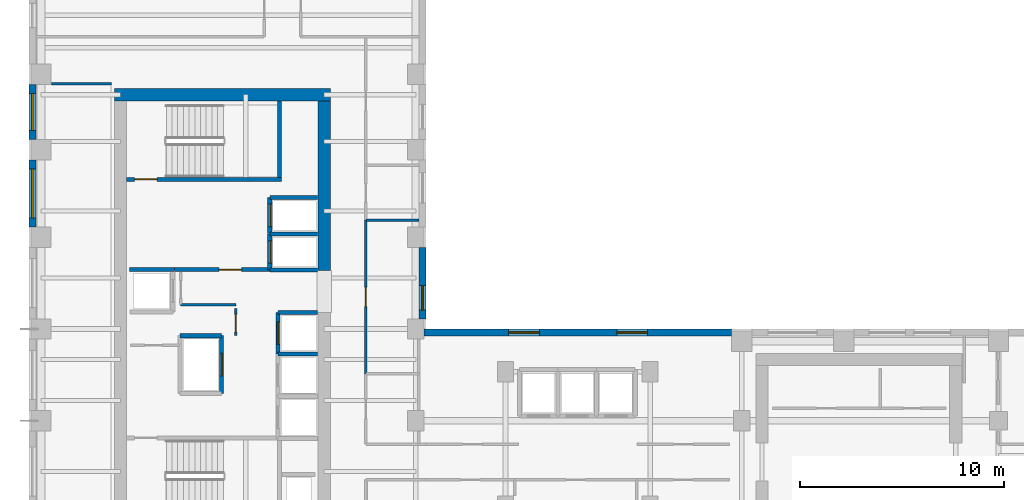
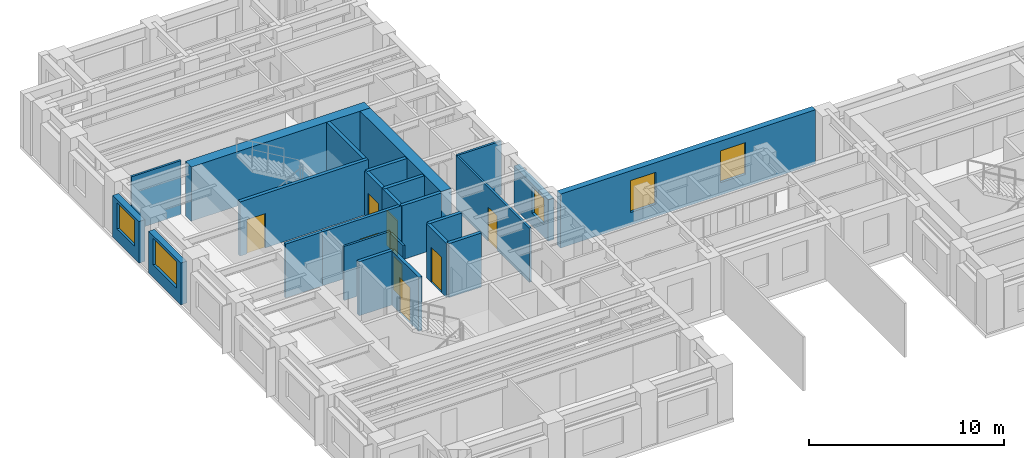
# One storey, part 5 of 11: 25 walls, 8 doors, 5 windows, 13 openings.
"""IFC4 building model written with IfcOpenShell, lengths in metres."""

from ifc_helpers import new_model, si_unit, direction, frame, frame_2d, origin, place, context, subcontext, project, spatial, rectangle, extrude, source, transform, mapped, material, layer, layer_set, type_object, element, fill, save


model = new_model("IFC4")

# Units and contexts
model_context = context("Model", 3, precision=1e-05, world=origin(), true_north=direction((0.0, 1.0)))
body_context = subcontext(model_context, "Body", "Model", "MODEL_VIEW")
ifc_project = project(units=[si_unit("LENGTHUNIT", "METRE"), si_unit("AREAUNIT", "SQUARE_METRE"), si_unit("VOLUMEUNIT", "CUBIC_METRE"), si_unit("PLANEANGLEUNIT", "RADIAN"), si_unit("MASSUNIT", "GRAM", prefix="KILO")], contexts=[model_context])

# Site, building, storey
site_placement = place(None, origin())
site = spatial("IfcSite", under=ifc_project, at=site_placement, CompositionType="ELEMENT")
building_placement = place(site_placement, origin())
building = spatial("IfcBuilding", under=site, at=building_placement, Name="Kharzan Plaza Tower", CompositionType="ELEMENT")
storey_placement = place(building_placement, frame((0.0, 0.0, 186.300048828125)))
storey = spatial("IfcBuildingStorey", under=building, at=storey_placement, Name="L50", CompositionType="ELEMENT", Elevation=186.300048828125)

# Wall, opening, window
ifc_material_1 = material(Name="Concrete C40/50", Category="concrete")
ifc_layer_1 = layer(ifc_material_1, 0.35009765625)
ifc_layer_set_1 = layer_set([ifc_layer_1], Name="Concrete C40/50")
wall_type_1 = type_object("IfcWallType", Name="WL-EXT-MAS-Z3", PredefinedType="SOLIDWALL", material=ifc_layer_set_1)
wall_1_placement = place(storey_placement, frame((0.175048828125, 30.001953125, 0.0), z_axis=(0.0, 0.0, 1.0), x_axis=(0.0, -1.0, 0.0)))
wall_1 = element("IfcWall", 1, at=wall_1_placement, inside=storey, type_object=wall_type_1, Name="L50 Masonry-Frame Exterior Wall 12", PredefinedType="SOLIDWALL", context=body_context, shape_type="SweptSolid", body=[
    extrude(rectangle(XDim=2.703857421875, YDim=0.35009765625, at=frame_2d((1.35205078125, 0.0))), origin(), (0.0, 0.0, 1.0), 2.612060546875),
])
opening_1_placement = place(wall_1_placement, frame((0.451904296875, 0.0, 0.780029296875)))
opening_1 = element("IfcOpeningElement", 2, at=opening_1_placement, cuts=wall_1, Name="Opening W1", PredefinedType="OPENING", context=body_context, shape_type="SweptSolid", body=[
    extrude(rectangle(XDim=1.800048828125, YDim=1.652099609375, at=frame_2d((0.89990234375, 0.826171875))), frame((0.0, 0.18505859375, 0.0), z_axis=(0.0, -1.0, 0.0), x_axis=(1.0, 0.0, 0.0)), (0.0, 0.0, 1.0), 0.3701171875),
])
ifc_material_2 = material(Name="Low-E Double Glazing", Category="glass")
window_type_1 = type_object("IfcWindowType", Name="WN-REC-1800x2100", PartitioningType="SINGLE_PANEL", PredefinedType="WINDOW", material=ifc_material_2)
shared_shape_1 = source(origin(), body_context, "Body", "SweptSolid", [
    extrude(rectangle(XDim=1.800048828125, YDim=1.652099609375, at=frame_2d((0.89990234375, 0.826171875))), frame((0.0, 0.030029296875, 0.0), z_axis=(0.0, -1.0, 0.0), x_axis=(1.0, 0.0, 0.0)), (0.0, 0.0, 1.0), 0.06005859375),
])
window_1_placement = place(opening_1_placement, origin())
window_1 = element("IfcWindow", 3, at=window_1_placement, inside=storey, type_object=window_type_1, Name="L50 Recessed Solar-Control Window 12-1", OverallHeight=1.652099609375, OverallWidth=1.800048828125, PartitioningType="SINGLE_PANEL", PredefinedType="WINDOW", context=body_context, shape_type="MappedRepresentation", body=[
    mapped(shared_shape_1, transform((0.0, 0.0, 0.0), x_axis=(1.0, 0.0, 0.0), y_axis=(0.0, 1.0, 0.0), z_axis=(0.0, 0.0, 1.0))),
])
fill(opening_1, window_1)

wall_2_placement = place(storey_placement, frame((0.175048828125, 26.302001953125, 0.0), z_axis=(0.0, 0.0, 1.0), x_axis=(0.0, -1.0, 0.0)))
wall_2 = element("IfcWall", 4, at=wall_2_placement, inside=storey, type_object=wall_type_1, Name="L50 Masonry-Frame Exterior Wall 13", PredefinedType="SOLIDWALL", context=body_context, shape_type="SweptSolid", body=[
    extrude(rectangle(XDim=3.303955078125, YDim=0.35009765625, at=frame_2d((1.65185546875, 0.0))), origin(), (0.0, 0.0, 1.0), 2.612060546875),
])
opening_2_placement = place(wall_2_placement, frame((0.451904296875, 0.0, 0.780029296875)))
opening_2 = element("IfcOpeningElement", 5, at=opening_2_placement, cuts=wall_2, Name="Opening W2", PredefinedType="OPENING", context=body_context, shape_type="SweptSolid", body=[
    extrude(rectangle(XDim=2.39990234375, YDim=1.652099609375, at=frame_2d((1.199951171875, 0.826171875))), frame((0.0, 0.18505859375, 0.0), z_axis=(0.0, -1.0, 0.0), x_axis=(1.0, 0.0, 0.0)), (0.0, 0.0, 1.0), 0.3701171875),
])
window_type_2 = type_object("IfcWindowType", Name="WN-REC-2400x2100", PartitioningType="SINGLE_PANEL", PredefinedType="WINDOW", material=ifc_material_2)
shared_shape_2 = source(origin(), body_context, "Body", "SweptSolid", [
    extrude(rectangle(XDim=2.39990234375, YDim=1.652099609375, at=frame_2d((1.199951171875, 0.826171875))), frame((0.0, 0.030029296875, 0.0), z_axis=(0.0, -1.0, 0.0), x_axis=(1.0, 0.0, 0.0)), (0.0, 0.0, 1.0), 0.06005859375),
])
window_2_placement = place(opening_2_placement, origin())
window_2 = element("IfcWindow", 6, at=window_2_placement, inside=storey, type_object=window_type_2, Name="L50 Wide Recessed Solar-Control Window 13-1", OverallHeight=1.652099609375, OverallWidth=2.39990234375, PartitioningType="SINGLE_PANEL", PredefinedType="WINDOW", context=body_context, shape_type="MappedRepresentation", body=[
    mapped(shared_shape_2, transform((0.0, 0.0, 0.0), x_axis=(1.0, 0.0, 0.0), y_axis=(0.0, 1.0, 0.0), z_axis=(0.0, 0.0, 1.0))),
])
fill(opening_2, window_2)

# Wall, openings, windows
wall_3_placement = place(storey_placement, frame((34.501953125, 17.824951171875, 0.0), z_axis=(0.0, 0.0, 1.0), x_axis=(-1.0, 0.0, 0.0)))
wall_3 = element("IfcWall", 7, at=wall_3_placement, inside=storey, type_object=wall_type_1, Name="L50 Masonry-Frame Exterior Wall 46", PredefinedType="SOLIDWALL", context=body_context, shape_type="SweptSolid", body=[
    extrude(rectangle(XDim=15.10400390625, YDim=0.35009765625, at=frame_2d((7.552001953125, 0.0))), origin(), (0.0, 0.0, 1.0), 3.385009765625),
])
opening_3_placement = place(wall_3_placement, frame((4.131103515625, 0.0, 0.780029296875)))
opening_3 = element("IfcOpeningElement", 8, at=opening_3_placement, cuts=wall_3, Name="Opening W5", PredefinedType="OPENING", context=body_context, shape_type="SweptSolid", body=[
    extrude(rectangle(XDim=1.5, YDim=2.0, at=frame_2d((0.75, 1.0))), frame((0.0, 0.18505859375, 0.0), z_axis=(0.0, -1.0, 0.0), x_axis=(1.0, 0.0, 0.0)), (0.0, 0.0, 1.0), 0.3701171875),
])
opening_4_placement = place(wall_3_placement, frame((9.4423828125, 0.0, 0.780029296875)))
opening_4 = element("IfcOpeningElement", 9, at=opening_4_placement, cuts=wall_3, Name="Opening W5", PredefinedType="OPENING", context=body_context, shape_type="SweptSolid", body=[
    extrude(rectangle(XDim=1.5, YDim=2.0, at=frame_2d((0.75, 1.0))), frame((0.0, 0.18505859375, 0.0), z_axis=(0.0, -1.0, 0.0), x_axis=(1.0, 0.0, 0.0)), (0.0, 0.0, 1.0), 0.3701171875),
])
window_type_3 = type_object("IfcWindowType", Name="WN-SLT-1500x2000", PartitioningType="SINGLE_PANEL", PredefinedType="WINDOW", material=ifc_material_2)
shared_shape_3 = source(origin(), body_context, "Body", "SweptSolid", [
    extrude(rectangle(XDim=1.5, YDim=2.0, at=frame_2d((0.75, 1.0))), frame((0.0, 0.030029296875, 0.0), z_axis=(0.0, -1.0, 0.0), x_axis=(1.0, 0.0, 0.0)), (0.0, 0.0, 1.0), 0.06005859375),
])
window_3_placement = place(opening_3_placement, origin())
window_3 = element("IfcWindow", 10, at=window_3_placement, inside=storey, type_object=window_type_3, Name="L50 Recessed Solar-Control Window 46-1", OverallHeight=2.0, OverallWidth=1.5, PartitioningType="SINGLE_PANEL", PredefinedType="WINDOW", context=body_context, shape_type="MappedRepresentation", body=[
    mapped(shared_shape_3, transform((0.0, 0.0, 0.0), x_axis=(1.0, 0.0, 0.0), y_axis=(0.0, 1.0, 0.0), z_axis=(0.0, 0.0, 1.0))),
])
fill(opening_3, window_3)
window_4_placement = place(opening_4_placement, origin())
window_4 = element("IfcWindow", 11, at=window_4_placement, inside=storey, type_object=window_type_3, Name="L50 Recessed Solar-Control Window 46-2", OverallHeight=2.0, OverallWidth=1.5, PartitioningType="SINGLE_PANEL", PredefinedType="WINDOW", context=body_context, shape_type="MappedRepresentation", body=[
    mapped(shared_shape_3, transform((0.0, 0.0, 0.0), x_axis=(1.0, 0.0, 0.0), y_axis=(0.0, 1.0, 0.0), z_axis=(0.0, 0.0, 1.0))),
])
fill(opening_4, window_4)

# Wall, opening, window
wall_4_placement = place(storey_placement, frame((19.324951171875, 18.498046875, 0.0), z_axis=(0.0, 0.0, 1.0), x_axis=(0.0, 1.0, 0.0)))
wall_4 = element("IfcWall", 12, at=wall_4_placement, inside=storey, type_object=wall_type_1, Name="L50 Masonry-Frame Exterior Wall 47", PredefinedType="SOLIDWALL", context=body_context, shape_type="SweptSolid", body=[
    extrude(rectangle(XDim=3.50390625, YDim=0.35009765625, at=frame_2d((1.751953125, 0.0))), origin(), (0.0, 0.0, 1.0), 2.612060546875),
])
opening_5_placement = place(wall_4_placement, frame((0.4326171875, 0.0, 0.780029296875)))
opening_5 = element("IfcOpeningElement", 13, at=opening_5_placement, cuts=wall_4, Name="Opening W3", PredefinedType="OPENING", context=body_context, shape_type="SweptSolid", body=[
    extrude(rectangle(XDim=1.199951171875, YDim=1.652099609375, at=frame_2d((0.60009765625, 0.826171875))), frame((0.0, 0.18505859375, 0.0), z_axis=(0.0, -1.0, 0.0), x_axis=(1.0, 0.0, 0.0)), (0.0, 0.0, 1.0), 0.3701171875),
])
window_type_4 = type_object("IfcWindowType", Name="WN-REC-1200x2100", PartitioningType="SINGLE_PANEL", PredefinedType="WINDOW", material=ifc_material_2)
shared_shape_4 = source(origin(), body_context, "Body", "SweptSolid", [
    extrude(rectangle(XDim=1.199951171875, YDim=1.652099609375, at=frame_2d((0.60009765625, 0.826171875))), frame((0.0, 0.030029296875, 0.0), z_axis=(0.0, -1.0, 0.0), x_axis=(1.0, 0.0, 0.0)), (0.0, 0.0, 1.0), 0.06005859375),
])
window_5_placement = place(opening_5_placement, origin())
window_5 = element("IfcWindow", 14, at=window_5_placement, inside=storey, type_object=window_type_4, Name="L50 Recessed Solar-Control Window 47-1", OverallHeight=1.652099609375, OverallWidth=1.199951171875, PartitioningType="SINGLE_PANEL", PredefinedType="WINDOW", context=body_context, shape_type="MappedRepresentation", body=[
    mapped(shared_shape_4, transform((0.0, 0.0, 0.0), x_axis=(1.0, 0.0, 0.0), y_axis=(0.0, 1.0, 0.0), z_axis=(0.0, 0.0, 1.0))),
])
fill(opening_5, window_5)

# Wall, opening, door
ifc_layer_2 = layer(ifc_material_1, 0.179931640625)
ifc_layer_set_2 = layer_set([ifc_layer_2], Name="Concrete C40/50")
wall_type_2 = type_object("IfcWallType", Name="WL-INT-FIRE-180", PredefinedType="PARTITIONING", material=ifc_layer_set_2)
wall_5_placement = place(storey_placement, frame((7.14990234375, 20.919921875, 0.0), z_axis=(0.0, 0.0, 1.0), x_axis=(1.0, 0.0, 0.0)))
wall_5 = element("IfcWall", 15, at=wall_5_placement, inside=storey, type_object=wall_type_2, Name="L50 Interior Partition CA-FF-S", PredefinedType="PARTITIONING", context=body_context, shape_type="SweptSolid", body=[
    extrude(rectangle(XDim=4.68017578125, YDim=0.179931640625, at=frame_2d((2.340087890625, 0.0))), origin(), (0.0, 0.0, 1.0), 3.385009765625),
])
opening_6_placement = place(wall_5_placement, frame((2.199951171875, 0.0, 0.0)))
opening_6 = element("IfcOpeningElement", 16, at=opening_6_placement, cuts=wall_5, Name="Opening FD1", PredefinedType="OPENING", context=body_context, shape_type="SweptSolid", body=[
    extrude(rectangle(XDim=1.10009765625, YDim=2.14990234375, at=frame_2d((0.550048828125, 1.074951171875))), frame((0.0, 0.099853515625, 0.0), z_axis=(0.0, -1.0, 0.0), x_axis=(1.0, 0.0, 0.0)), (0.0, 0.0, 1.0), 0.199951171875),
])
ifc_material_3 = material(Name="Fire-Rated Acoustic Vision-Panel Steel", Category="steel")
door_type_1 = type_object("IfcDoorType", Name="DR-FIRE-LOBBY", OperationType="NOTDEFINED", PredefinedType="DOOR", material=ifc_material_3)
shared_shape_5 = source(origin(), body_context, "Body", "SweptSolid", [
    extrude(rectangle(XDim=1.10009765625, YDim=2.14990234375, at=frame_2d((0.550048828125, 1.074951171875))), frame((0.0, 0.02490234375, 0.0), z_axis=(0.0, -1.0, 0.0), x_axis=(1.0, 0.0, 0.0)), (0.0, 0.0, 1.0), 0.050048828125),
])
door_1_placement = place(opening_6_placement, origin())
door_1 = element("IfcDoor", 17, at=door_1_placement, inside=storey, type_object=door_type_1, Name="L50 Firefighting Lobby Door", OperationType="SINGLE_SWING_LEFT", OverallHeight=2.14990234375, OverallWidth=1.10009765625, PredefinedType="DOOR", context=body_context, shape_type="MappedRepresentation", body=[
    mapped(shared_shape_5, transform((0.0, 0.0, 0.0), x_axis=(1.0, 0.0, 0.0), y_axis=(0.0, 1.0, 0.0), z_axis=(0.0, 0.0, 1.0))),
])
fill(opening_6, door_1)

ifc_material_4 = material(Name="Fire-Rated Gypsum Board Partition", Category="gypsum")
ifc_layer_3 = layer(ifc_material_4, 0.125)
ifc_layer_set_3 = layer_set([ifc_layer_3], Name="Fire-Rated Gypsum Board Partition")
wall_type_3 = type_object("IfcWallType", Name="WL-INT-PART-125", PredefinedType="PARTITIONING", material=ifc_layer_set_3)
wall_6_placement = place(storey_placement, frame((10.14990234375, 17.679931640625, 0.0), z_axis=(0.0, 0.0, 1.0), x_axis=(0.0, 1.0, 0.0)))
wall_6 = element("IfcWall", 18, at=wall_6_placement, inside=storey, type_object=wall_type_3, Name="L50 Interior Partition CA-K2A", PredefinedType="PARTITIONING", context=body_context, shape_type="SweptSolid", body=[
    extrude(rectangle(XDim=1.320068359375, YDim=0.125, at=frame_2d((0.66015625, 0.0))), origin(), (0.0, 0.0, 1.0), 3.385009765625),
])
opening_7_placement = place(wall_6_placement, frame((0.18505859375, 0.0, 0.0)))
opening_7 = element("IfcOpeningElement", 19, at=opening_7_placement, cuts=wall_6, Name="Opening RD1", PredefinedType="OPENING", context=body_context, shape_type="SweptSolid", body=[
    extrude(rectangle(XDim=0.85009765625, YDim=2.10009765625, at=frame_2d((0.425048828125, 1.050048828125))), frame((0.0, 0.072509765625, 0.0), z_axis=(0.0, -1.0, 0.0), x_axis=(1.0, 0.0, 0.0)), (0.0, 0.0, 1.0), 0.14501953125),
])
ifc_material_5 = material(Name="Powder-Coated Fire-Rated Steel", Category="steel")
door_type_2 = type_object("IfcDoorType", Name="DR-RISER-900", OperationType="NOTDEFINED", PredefinedType="DOOR", material=ifc_material_5)
shared_shape_6 = source(origin(), body_context, "Body", "SweptSolid", [
    extrude(rectangle(XDim=0.85009765625, YDim=2.10009765625, at=frame_2d((0.425048828125, 1.050048828125))), frame((0.0, 0.02490234375, 0.0), z_axis=(0.0, -1.0, 0.0), x_axis=(1.0, 0.0, 0.0)), (0.0, 0.0, 1.0), 0.050048828125),
])
door_2_placement = place(opening_7_placement, origin())
door_2 = element("IfcDoor", 20, at=door_2_placement, inside=storey, type_object=door_type_2, Name="L50 Core Mechanical Store Door", OperationType="SINGLE_SWING_RIGHT", OverallHeight=2.10009765625, OverallWidth=0.85009765625, PredefinedType="DOOR", context=body_context, shape_type="MappedRepresentation", body=[
    mapped(shared_shape_6, transform((0.0, 0.0, 0.0), x_axis=(1.0, 0.0, 0.0), y_axis=(0.0, 1.0, 0.0), z_axis=(0.0, 0.0, 1.0))),
])
fill(opening_7, door_2)

wall_7_placement = place(storey_placement, frame((16.550048828125, 15.800048828125, 0.0), z_axis=(0.0, 0.0, 1.0), x_axis=(0.0, 1.0, 0.0)))
wall_7 = element("IfcWall", 21, at=wall_7_placement, inside=storey, type_object=wall_type_3, Name="L50 Interior Partition SH-AEWN2", PredefinedType="PARTITIONING", context=body_context, shape_type="SweptSolid", body=[
    extrude(rectangle(XDim=7.550048828125, YDim=0.125, at=frame_2d((3.77490234375, 0.0))), origin(), (0.0, 0.0, 1.0), 3.385009765625),
])
opening_8_placement = place(wall_7_placement, frame((3.300048828125, 0.0, 0.0)))
opening_8 = element("IfcOpeningElement", 22, at=opening_8_placement, cuts=wall_7, Name="Opening OD1", PredefinedType="OPENING", context=body_context, shape_type="SweptSolid", body=[
    extrude(rectangle(XDim=0.949951171875, YDim=2.14990234375, at=frame_2d((0.47509765625, 1.074951171875))), frame((0.0, 0.072509765625, 0.0), z_axis=(0.0, -1.0, 0.0), x_axis=(1.0, 0.0, 0.0)), (0.0, 0.0, 1.0), 0.14501953125),
])
ifc_material_6 = material(Name="Acoustic Solid-Core Stained Oak", Category="timber")
door_type_3 = type_object("IfcDoorType", Name="DR-OFF-SINGLE", OperationType="NOTDEFINED", PredefinedType="DOOR", material=ifc_material_6)
shared_shape_7 = source(origin(), body_context, "Body", "SweptSolid", [
    extrude(rectangle(XDim=0.949951171875, YDim=2.14990234375, at=frame_2d((0.47509765625, 1.074951171875))), frame((0.0, 0.02490234375, 0.0), z_axis=(0.0, -1.0, 0.0), x_axis=(1.0, 0.0, 0.0)), (0.0, 0.0, 1.0), 0.050048828125),
])
door_3_placement = place(opening_8_placement, origin())
door_3 = element("IfcDoor", 23, at=door_3_placement, inside=storey, type_object=door_type_3, Name="L50 Slot Studio Door", OperationType="SINGLE_SWING_RIGHT", OverallHeight=2.14990234375, OverallWidth=0.949951171875, PredefinedType="DOOR", context=body_context, shape_type="MappedRepresentation", body=[
    mapped(shared_shape_7, transform((0.0, 0.0, 0.0), x_axis=(1.0, 0.0, 0.0), y_axis=(0.0, 1.0, 0.0), z_axis=(0.0, 0.0, 1.0))),
])
fill(opening_8, door_3)

ifc_layer_4 = layer(ifc_material_1, 0.199951171875)
ifc_layer_set_4 = layer_set([ifc_layer_4], Name="Concrete C40/50")
wall_type_4 = type_object("IfcWallType", Name="WL-INT-SHAFT-200", PredefinedType="PARTITIONING", material=ifc_layer_set_4)
wall_8_placement = place(storey_placement, frame((11.830078125, 20.89990234375, 0.0), z_axis=(0.0, 0.0, 1.0), x_axis=(0.0, 1.0, 0.0)))
wall_8 = element("IfcWall", 24, at=wall_8_placement, inside=storey, type_object=wall_type_4, Name="L50 Interior Partition SHF-FFL-1-W", PredefinedType="PARTITIONING", context=body_context, shape_type="SweptSolid", body=[
    extrude(rectangle(XDim=1.760009765625, YDim=0.199951171875, at=frame_2d((0.8798828125, 0.0))), origin(), (0.0, 0.0, 1.0), 3.385009765625),
])
opening_9_placement = place(wall_8_placement, frame((0.330078125, 0.0, 0.0)))
opening_9 = element("IfcOpeningElement", 25, at=opening_9_placement, cuts=wall_8, Name="Opening LD", PredefinedType="OPENING", context=body_context, shape_type="SweptSolid", body=[
    extrude(rectangle(XDim=1.10009765625, YDim=2.199951171875, at=frame_2d((0.550048828125, 1.10009765625))), frame((0.0, 0.10986328125, 0.0), z_axis=(0.0, -1.0, 0.0), x_axis=(1.0, 0.0, 0.0)), (0.0, 0.0, 1.0), 0.219970703125),
])
ifc_material_7 = material(Name="Brushed Stainless Steel", Category="steel")
door_type_4 = type_object("IfcDoorType", Name="DR-LIFT-SLIDE", OperationType="SLIDING_TO_LEFT", PredefinedType="DOOR", material=ifc_material_7)
shared_shape_8 = source(origin(), body_context, "Body", "SweptSolid", [
    extrude(rectangle(XDim=1.10009765625, YDim=2.199951171875, at=frame_2d((0.550048828125, 1.10009765625))), frame((0.0, 0.02490234375, 0.0), z_axis=(0.0, -1.0, 0.0), x_axis=(1.0, 0.0, 0.0)), (0.0, 0.0, 1.0), 0.050048828125),
])
door_4_placement = place(opening_9_placement, origin())
door_4 = element("IfcDoor", 26, at=door_4_placement, inside=storey, type_object=door_type_4, Name="L50 Firefighting Lift FFL-1 Sliding Landing Door", OperationType="SLIDING_TO_LEFT", OverallHeight=2.199951171875, OverallWidth=1.10009765625, PredefinedType="DOOR", context=body_context, shape_type="MappedRepresentation", body=[
    mapped(shared_shape_8, transform((0.0, 0.0, 0.0), x_axis=(1.0, 0.0, 0.0), y_axis=(0.0, 1.0, 0.0), z_axis=(0.0, 0.0, 1.0))),
])
fill(opening_9, door_4)

wall_9_placement = place(storey_placement, frame((11.830078125, 22.699951171875, 0.0), z_axis=(0.0, 0.0, 1.0), x_axis=(0.0, 1.0, 0.0)))
wall_9 = element("IfcWall", 27, at=wall_9_placement, inside=storey, type_object=wall_type_4, Name="L50 Interior Partition SHF-FFL-2-W", PredefinedType="PARTITIONING", context=body_context, shape_type="SweptSolid", body=[
    extrude(rectangle(XDim=1.760009765625, YDim=0.199951171875, at=frame_2d((0.8798828125, 0.0))), origin(), (0.0, 0.0, 1.0), 3.385009765625),
])
opening_10_placement = place(wall_9_placement, frame((0.330078125, 0.0, 0.0)))
opening_10 = element("IfcOpeningElement", 28, at=opening_10_placement, cuts=wall_9, Name="Opening LD", PredefinedType="OPENING", context=body_context, shape_type="SweptSolid", body=[
    extrude(rectangle(XDim=1.10009765625, YDim=2.199951171875, at=frame_2d((0.550048828125, 1.10009765625))), frame((0.0, 0.10986328125, 0.0), z_axis=(0.0, -1.0, 0.0), x_axis=(1.0, 0.0, 0.0)), (0.0, 0.0, 1.0), 0.219970703125),
])
door_5_placement = place(opening_10_placement, origin())
door_5 = element("IfcDoor", 29, at=door_5_placement, inside=storey, type_object=door_type_4, Name="L50 Firefighting Lift FFL-2 Sliding Landing Door", OperationType="SLIDING_TO_LEFT", OverallHeight=2.199951171875, OverallWidth=1.10009765625, PredefinedType="DOOR", context=body_context, shape_type="MappedRepresentation", body=[
    mapped(shared_shape_8, transform((0.0, 0.0, 0.0), x_axis=(1.0, 0.0, 0.0), y_axis=(0.0, 1.0, 0.0), z_axis=(0.0, 0.0, 1.0))),
])
fill(opening_10, door_5)

wall_10_placement = place(storey_placement, frame((12.22998046875, 16.77001953125, 0.0), z_axis=(0.0, 0.0, 1.0), x_axis=(0.0, 1.0, 0.0)))
wall_10 = element("IfcWall", 30, at=wall_10_placement, inside=storey, type_object=wall_type_4, Name="L50 Interior Partition SHF-PL-H3-W", PredefinedType="PARTITIONING", context=body_context, shape_type="SweptSolid", body=[
    extrude(rectangle(XDim=2.050048828125, YDim=0.199951171875, at=frame_2d((1.02490234375, 0.0))), origin(), (0.0, 0.0, 1.0), 3.385009765625),
])
opening_11_placement = place(wall_10_placement, frame((0.47509765625, 0.0, 0.0)))
opening_11 = element("IfcOpeningElement", 31, at=opening_11_placement, cuts=wall_10, Name="Opening LD", PredefinedType="OPENING", context=body_context, shape_type="SweptSolid", body=[
    extrude(rectangle(XDim=1.10009765625, YDim=2.199951171875, at=frame_2d((0.550048828125, 1.10009765625))), frame((0.0, 0.10986328125, 0.0), z_axis=(0.0, -1.0, 0.0), x_axis=(1.0, 0.0, 0.0)), (0.0, 0.0, 1.0), 0.219970703125),
])
door_6_placement = place(opening_11_placement, origin())
door_6 = element("IfcDoor", 32, at=door_6_placement, inside=storey, type_object=door_type_4, Name="L50 High-Rise Passenger Lift PL-H3 Sliding Landing Door", OperationType="SLIDING_TO_LEFT", OverallHeight=2.199951171875, OverallWidth=1.10009765625, PredefinedType="DOOR", context=body_context, shape_type="MappedRepresentation", body=[
    mapped(shared_shape_8, transform((0.0, 0.0, 0.0), x_axis=(1.0, 0.0, 0.0), y_axis=(0.0, 1.0, 0.0), z_axis=(0.0, 0.0, 1.0))),
])
fill(opening_11, door_6)

wall_11_placement = place(storey_placement, frame((9.469970703125, 14.830078125, 0.0), z_axis=(0.0, 0.0, 1.0), x_axis=(0.0, 1.0, 0.0)))
wall_11 = element("IfcWall", 33, at=wall_11_placement, inside=storey, type_object=wall_type_4, Name="L50 Interior Partition SHF-SVL-1-E", PredefinedType="PARTITIONING", context=body_context, shape_type="SweptSolid", body=[
    extrude(rectangle(XDim=2.83984375, YDim=0.199951171875, at=frame_2d((1.419921875, 0.0))), origin(), (0.0, 0.0, 1.0), 3.385009765625),
])
opening_12_placement = place(wall_11_placement, frame((0.8701171875, 0.0, 0.0)))
opening_12 = element("IfcOpeningElement", 34, at=opening_12_placement, cuts=wall_11, Name="Opening LD", PredefinedType="OPENING", context=body_context, shape_type="SweptSolid", body=[
    extrude(rectangle(XDim=1.10009765625, YDim=2.199951171875, at=frame_2d((0.550048828125, 1.10009765625))), frame((0.0, 0.10986328125, 0.0), z_axis=(0.0, -1.0, 0.0), x_axis=(1.0, 0.0, 0.0)), (0.0, 0.0, 1.0), 0.219970703125),
])
door_7_placement = place(opening_12_placement, origin())
door_7 = element("IfcDoor", 35, at=door_7_placement, inside=storey, type_object=door_type_4, Name="L50 Service Lift SVL-1 Sliding Landing Door", OperationType="SLIDING_TO_LEFT", OverallHeight=2.199951171875, OverallWidth=1.10009765625, PredefinedType="DOOR", context=body_context, shape_type="MappedRepresentation", body=[
    mapped(shared_shape_8, transform((0.0, 0.0, 0.0), x_axis=(1.0, 0.0, 0.0), y_axis=(0.0, 1.0, 0.0), z_axis=(0.0, 0.0, 1.0))),
])
fill(opening_12, door_7)

ifc_material_8 = material(Name="Concrete C50/60", Category="concrete")
ifc_layer_5 = layer(ifc_material_8, 0.199951171875)
ifc_layer_set_5 = layer_set([ifc_layer_5], Name="Concrete C50/60")
wall_type_5 = type_object("IfcWallType", Name="WL-SHAFT-RC200", PredefinedType="SHEAR", material=ifc_layer_set_5)
wall_12_placement = place(storey_placement, frame((4.802001953125, 25.344970703125, 0.0), z_axis=(0.0, 0.0, 1.0), x_axis=(1.0, 0.0, 0.0)))
wall_12 = element("IfcWall", 36, at=wall_12_placement, inside=storey, type_object=wall_type_5, Name="L50 Stair ST-2 South RC Shaft Wall", PredefinedType="SHEAR", context=body_context, shape_type="SweptSolid", body=[
    extrude(rectangle(XDim=7.60302734375, YDim=0.199951171875, at=frame_2d((3.801513671875, 0.0))), origin(), (0.0, 0.0, 1.0), 3.39990234375),
])
opening_13_placement = place(wall_12_placement, frame((0.39990234375, 0.0, 0.0)))
opening_13 = element("IfcOpeningElement", 37, at=opening_13_placement, cuts=wall_12, Name="Opening SD1", PredefinedType="OPENING", context=body_context, shape_type="SweptSolid", body=[
    extrude(rectangle(XDim=1.10009765625, YDim=2.14990234375, at=frame_2d((0.550048828125, 1.074951171875))), frame((0.0, 0.10986328125, 0.0), z_axis=(0.0, -1.0, 0.0), x_axis=(1.0, 0.0, 0.0)), (0.0, 0.0, 1.0), 0.219970703125),
])
ifc_material_9 = material(Name="Fire-Rated Hollow Galvanized Steel", Category="steel")
door_type_5 = type_object("IfcDoorType", Name="DR-STAIR-FD120", OperationType="NOTDEFINED", PredefinedType="DOOR", material=ifc_material_9)
shared_shape_9 = source(origin(), body_context, "Body", "SweptSolid", [
    extrude(rectangle(XDim=1.10009765625, YDim=2.14990234375, at=frame_2d((0.550048828125, 1.074951171875))), frame((0.0, 0.02490234375, 0.0), z_axis=(0.0, -1.0, 0.0), x_axis=(1.0, 0.0, 0.0)), (0.0, 0.0, 1.0), 0.050048828125),
])
door_8_placement = place(opening_13_placement, origin())
door_8 = element("IfcDoor", 38, at=door_8_placement, inside=storey, type_object=door_type_5, Name="L50 Stair ST-2 Fire Exit Door", OperationType="SINGLE_SWING_RIGHT", OverallHeight=2.14990234375, OverallWidth=1.10009765625, PredefinedType="DOOR", context=body_context, shape_type="MappedRepresentation", body=[
    mapped(shared_shape_9, transform((0.0, 0.0, 0.0), x_axis=(1.0, 0.0, 0.0), y_axis=(0.0, 1.0, 0.0), z_axis=(0.0, 0.0, 1.0))),
])
fill(opening_13, door_8)

# Walls
ifc_layer_6 = layer(ifc_material_8, 0.60009765625)
ifc_layer_set_6 = layer_set([ifc_layer_6], Name="Concrete C50/60")
wall_type_6 = type_object("IfcWallType", Name="WL-CORE-600", PredefinedType="SHEAR", material=ifc_layer_set_6)
shared_shape_10 = source(origin(), body_context, "Body", "SweptSolid", [
    extrude(rectangle(XDim=8.320068359375, YDim=0.60009765625, at=frame_2d((4.16015625, 0.0))), origin(), (0.0, 0.0, 1.0), 3.39990234375),
])
wall_13_placement = place(storey_placement, frame((14.5, 20.8798828125, 0.0), z_axis=(0.0, 0.0, 1.0), x_axis=(0.0, 1.0, 0.0)))
element("IfcWall", 39, at=wall_13_placement, inside=storey, type_object=wall_type_6, Name="L50 CORE-A east shear pier 2", PredefinedType="SHEAR", context=body_context, shape_type="MappedRepresentation", body=[
    mapped(shared_shape_10, transform((0.0, 0.0, 0.0), x_axis=(1.0, 0.0, 0.0), y_axis=(0.0, 1.0, 0.0), z_axis=(0.0, 0.0, 1.0))),
])
shared_shape_11 = source(origin(), body_context, "Body", "SweptSolid", [
    extrude(rectangle(XDim=10.60009765625, YDim=0.60009765625, at=frame_2d((5.300048828125, 0.0))), origin(), (0.0, 0.0, 1.0), 3.39990234375),
])
wall_14_placement = place(storey_placement, frame((4.199951171875, 29.5, 0.0), z_axis=(0.0, 0.0, 1.0), x_axis=(1.0, 0.0, 0.0)))
element("IfcWall", 40, at=wall_14_placement, inside=storey, type_object=wall_type_6, Name="L50 CORE-A north RC shear wall", PredefinedType="SHEAR", context=body_context, shape_type="MappedRepresentation", body=[
    mapped(shared_shape_11, transform((0.0, 0.0, 0.0), x_axis=(1.0, 0.0, 0.0), y_axis=(0.0, 1.0, 0.0), z_axis=(0.0, 0.0, 1.0))),
])
shared_shape_12 = source(origin(), body_context, "Body", "SweptSolid", [
    extrude(rectangle(XDim=2.199951171875, YDim=0.179931640625, at=frame_2d((1.10009765625, 0.0))), origin(), (0.0, 0.0, 1.0), 3.385009765625),
])
wall_15_placement = place(storey_placement, frame((4.949951171875, 20.919921875, 0.0), z_axis=(0.0, 0.0, 1.0), x_axis=(1.0, 0.0, 0.0)))
element("IfcWall", 41, at=wall_15_placement, inside=storey, type_object=wall_type_2, Name="L50 Interior Partition CA-FF-SW", PredefinedType="PARTITIONING", context=body_context, shape_type="MappedRepresentation", body=[
    mapped(shared_shape_12, transform((0.0, 0.0, 0.0), x_axis=(1.0, 0.0, 0.0), y_axis=(0.0, 1.0, 0.0), z_axis=(0.0, 0.0, 1.0))),
])
shared_shape_13 = source(origin(), body_context, "Body", "SweptSolid", [
    extrude(rectangle(XDim=2.72998046875, YDim=0.125, at=frame_2d((1.364990234375, 0.0))), origin(), (0.0, 0.0, 1.0), 3.385009765625),
])
wall_16_placement = place(storey_placement, frame((7.449951171875, 19.199951171875, 0.0), z_axis=(0.0, 0.0, 1.0), x_axis=(1.0, 0.0, 0.0)))
element("IfcWall", 42, at=wall_16_placement, inside=storey, type_object=wall_type_3, Name="L50 Interior Partition CA-K2M", PredefinedType="PARTITIONING", context=body_context, shape_type="MappedRepresentation", body=[
    mapped(shared_shape_13, transform((0.0, 0.0, 0.0), x_axis=(1.0, 0.0, 0.0), y_axis=(0.0, 1.0, 0.0), z_axis=(0.0, 0.0, 1.0))),
])
shared_shape_14 = source(origin(), body_context, "Body", "SweptSolid", [
    extrude(rectangle(XDim=2.929931640625, YDim=0.125, at=frame_2d((1.46484375, 0.0))), origin(), (0.0, 0.0, 1.0), 3.385009765625),
])
wall_17_placement = place(storey_placement, frame((1.1201171875, 30.050048828125, 0.0), z_axis=(0.0, 0.0, 1.0), x_axis=(1.0, 0.0, 0.0)))
element("IfcWall", 43, at=wall_17_placement, inside=storey, type_object=wall_type_3, Name="L50 Interior Partition SH-RWN0", PredefinedType="PARTITIONING", context=body_context, shape_type="MappedRepresentation", body=[
    mapped(shared_shape_14, transform((0.0, 0.0, 0.0), x_axis=(1.0, 0.0, 0.0), y_axis=(0.0, 1.0, 0.0), z_axis=(0.0, 0.0, 1.0))),
])
shared_shape_15 = source(origin(), body_context, "Body", "SweptSolid", [
    extrude(rectangle(XDim=2.33984375, YDim=0.199951171875, at=frame_2d((1.169921875, 0.0))), origin(), (0.0, 0.0, 1.0), 3.385009765625),
])
for number, where, z_axis, x_axis, name in (
    (44, (11.830078125, 22.659912109375, 0.0), (0.0, 0.0, 1.0), (1.0, 0.0, 0.0), "L50 Interior Partition SHF-FFL-1-N"),
    (45, (11.830078125, 20.89990234375, 0.0), (0.0, 0.0, 1.0), (1.0, 0.0, 0.0), "L50 Interior Partition SHF-FFL-1-S"),
    (46, (11.830078125, 24.4599609375, 0.0), (0.0, 0.0, 1.0), (1.0, 0.0, 0.0), "L50 Interior Partition SHF-FFL-2-N"),
):
    element("IfcWall", number, at=place(storey_placement, frame(where, z_axis=z_axis, x_axis=x_axis)), inside=storey, type_object=wall_type_4, Name=name, PredefinedType="PARTITIONING", context=body_context, shape_type="MappedRepresentation", body=[
        mapped(shared_shape_15, transform((0.0, 0.0, 0.0), x_axis=(1.0, 0.0, 0.0), y_axis=(0.0, 1.0, 0.0), z_axis=(0.0, 0.0, 1.0))),
    ])
shared_shape_16 = source(origin(), body_context, "Body", "SweptSolid", [
    extrude(rectangle(XDim=1.93994140625, YDim=0.199951171875, at=frame_2d((0.969970703125, 0.0))), origin(), (0.0, 0.0, 1.0), 3.385009765625),
])
for number, where, z_axis, x_axis, name in (
    (47, (12.22998046875, 16.77001953125, 0.0), (0.0, 0.0, 1.0), (1.0, 0.0, 0.0), "L50 Interior Partition SHF-PL-H2-N"),
    (48, (12.22998046875, 18.820068359375, 0.0), (0.0, 0.0, 1.0), (1.0, 0.0, 0.0), "L50 Interior Partition SHF-PL-H3-N"),
):
    element("IfcWall", number, at=place(storey_placement, frame(where, z_axis=z_axis, x_axis=x_axis)), inside=storey, type_object=wall_type_4, Name=name, PredefinedType="PARTITIONING", context=body_context, shape_type="MappedRepresentation", body=[
        mapped(shared_shape_16, transform((0.0, 0.0, 0.0), x_axis=(1.0, 0.0, 0.0), y_axis=(0.0, 1.0, 0.0), z_axis=(0.0, 0.0, 1.0))),
    ])
shared_shape_17 = source(origin(), body_context, "Body", "SweptSolid", [
    extrude(rectangle(XDim=2.0400390625, YDim=0.199951171875, at=frame_2d((1.02001953125, 0.0))), origin(), (0.0, 0.0, 1.0), 3.385009765625),
])
wall_18_placement = place(storey_placement, frame((7.429931640625, 17.669921875, 0.0), z_axis=(0.0, 0.0, 1.0), x_axis=(1.0, 0.0, 0.0)))
element("IfcWall", 49, at=wall_18_placement, inside=storey, type_object=wall_type_4, Name="L50 Interior Partition SHF-SVL-1-N", PredefinedType="PARTITIONING", context=body_context, shape_type="MappedRepresentation", body=[
    mapped(shared_shape_17, transform((0.0, 0.0, 0.0), x_axis=(1.0, 0.0, 0.0), y_axis=(0.0, 1.0, 0.0), z_axis=(0.0, 0.0, 1.0))),
])
shared_shape_18 = source(origin(), body_context, "Body", "SweptSolid", [
    extrude(rectangle(XDim=3.7529296875, YDim=0.199951171875, at=frame_2d((1.87646484375, 0.0))), origin(), (0.0, 0.0, 1.0), 3.39990234375),
])
wall_19_placement = place(storey_placement, frame((12.304931640625, 25.445068359375, 0.0), z_axis=(0.0, 0.0, 1.0), x_axis=(0.0, 1.0, 0.0)))
element("IfcWall", 50, at=wall_19_placement, inside=storey, type_object=wall_type_5, Name="L50 Stair ST-2 East RC Shaft Wall", PredefinedType="SHEAR", context=body_context, shape_type="MappedRepresentation", body=[
    mapped(shared_shape_18, transform((0.0, 0.0, 0.0), x_axis=(1.0, 0.0, 0.0), y_axis=(0.0, 1.0, 0.0), z_axis=(0.0, 0.0, 1.0))),
])
shared_shape_19 = source(origin(), body_context, "Body", "SweptSolid", [
    extrude(rectangle(XDim=2.597900390625, YDim=0.125, at=frame_2d((1.298828125, 0.0))), origin(), (0.0, 0.0, 1.0), 3.385009765625),
])
wall_20_placement = place(storey_placement, frame((16.550048828125, 23.35009765625, 0.0), z_axis=(0.0, 0.0, 1.0), x_axis=(1.0, 0.0, 0.0)))
element("IfcWall", 51, at=wall_20_placement, inside=storey, type_object=wall_type_3, Name="L50 Interior Partition SH-AEH-233", PredefinedType="PARTITIONING", context=body_context, shape_type="MappedRepresentation", body=[
    mapped(shared_shape_19, transform((0.0, 0.0, 0.0), x_axis=(1.0, 0.0, 0.0), y_axis=(0.0, 1.0, 0.0), z_axis=(0.0, 0.0, 1.0))),
])

save(model, "model.ifc")
